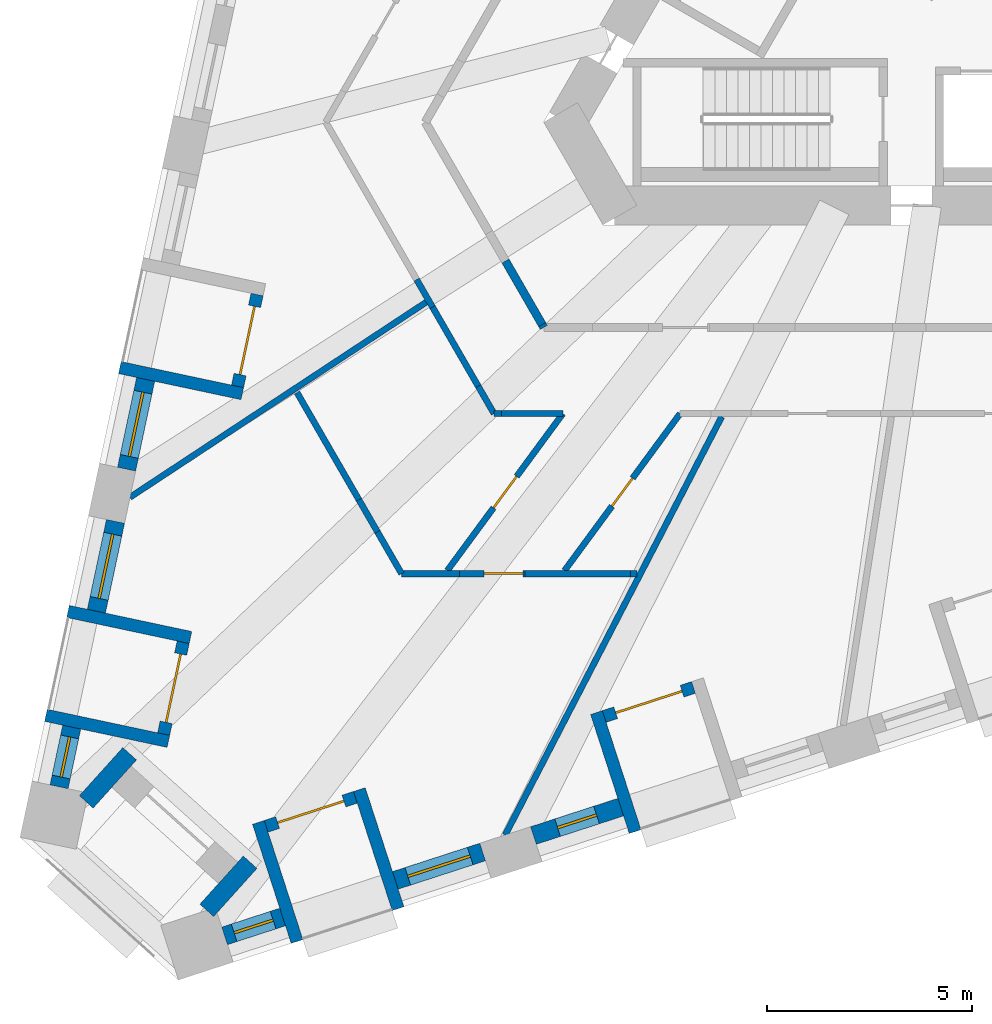
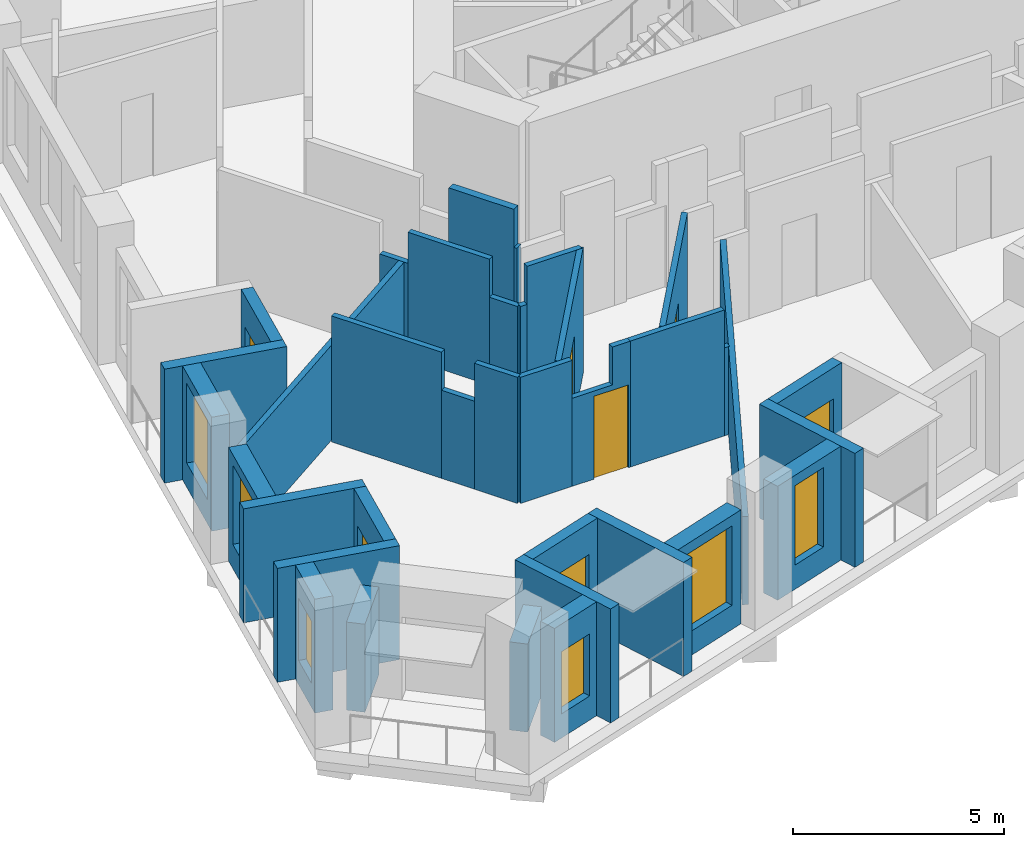
# One storey, part 2 of 12: 36 walls, 7 doors, 6 windows, 13 openings.
"""IFC4 building model written with IfcOpenShell, lengths in metres."""

from ifc_helpers import new_model, si_unit, direction, frame, frame_2d, origin, place, context, subcontext, project, spatial, polyline, rectangle, outline, extrude, material, layer, layer_set, type_object, element, fill, save


model = new_model("IFC4")

# Units and contexts
model_context = context("Model", 3, precision=1e-05, world=origin(), true_north=direction((0.0, 1.0)))
body_context = subcontext(model_context, "Body", "Model", "MODEL_VIEW")
ifc_project = project(units=[si_unit("LENGTHUNIT", "METRE"), si_unit("AREAUNIT", "SQUARE_METRE"), si_unit("VOLUMEUNIT", "CUBIC_METRE"), si_unit("PLANEANGLEUNIT", "RADIAN"), si_unit("MASSUNIT", "GRAM", prefix="KILO")], contexts=[model_context])

# Site, building, storey
site_placement = place(None, origin())
site = spatial("IfcSite", under=ifc_project, at=site_placement, CompositionType="ELEMENT")
building_placement = place(site_placement, origin())
building = spatial("IfcBuilding", under=site, at=building_placement, Name="Tramontana Tower", CompositionType="ELEMENT")
storey_placement = place(building_placement, frame((0.0, 0.0, 96.39990234375)))
storey = spatial("IfcBuildingStorey", under=building, at=storey_placement, Name="L21", CompositionType="ELEMENT", Elevation=96.39990234375)

# Walls
ifc_material_1 = material(Name="Blockwork", Category="masonry")
ifc_layer_1 = layer(ifc_material_1, 0.199951171875)
ifc_layer_set_1 = layer_set([ifc_layer_1], Name="ENTRY WALL 200")
wall_type_1 = type_object("IfcWallType", Name="ENTRY WALL 200", PredefinedType="SOLIDWALL", material=ifc_layer_set_1)
wall_1_placement = place(storey_placement, frame((-10.248046875, -9.25, 0.0), z_axis=(0.0, 0.0, 1.0), x_axis=(-0.499103811596, 0.866542200502, 0.0)))
element("IfcWall", 1, at=wall_1_placement, inside=storey, type_object=wall_type_1, Name="Wall v20-ew3-0", PredefinedType="SOLIDWALL", context=body_context, shape_type="SweptSolid", body=[
    extrude(rectangle(XDim=0.079833984375, YDim=0.199951171875, at=frame_2d((0.0400390625, 0.0))), origin(), (0.0, 0.0, 1.0), 2.550048828125),
])
wall_2_placement = place(storey_placement, frame((-10.287841796875, -9.180908203125, 0.0), z_axis=(0.0, 0.0, 1.0), x_axis=(-0.499986405537, 0.866033252409, 0.0)))
element("IfcWall", 2, at=wall_2_placement, inside=storey, type_object=wall_type_1, Name="Wall v20-ew3-1", PredefinedType="SOLIDWALL", context=body_context, shape_type="SweptSolid", body=[
    extrude(rectangle(XDim=1.7880859375, YDim=0.199951171875, at=frame_2d((0.89404296875, 0.0))), origin(), (0.0, 0.0, 1.0), 3.650146484375),
])

# Wall, opening, window
ifc_material_2 = material(Name="Precast concrete 60 MPa", Category="concrete")
ifc_layer_2 = layer(ifc_material_2, 0.449951171875)
ifc_layer_set_2 = layer_set([ifc_layer_2], Name="Precast concrete 60 MPa, 450 mm")
wall_type_2 = type_object("IfcWallType", Name="EW1 Stone-faced precast wall 450", PredefinedType="SOLIDWALL", material=ifc_layer_set_2)
wall_3_placement = place(storey_placement, frame((-19.947265625, -10.516357421875, 0.0), z_axis=(0.0, 0.0, 1.0), x_axis=(-0.207941001029, -0.978141370197, 0.0)))
wall_3 = element("IfcWall", 3, at=wall_3_placement, inside=storey, type_object=wall_type_2, Name="External wall L21 face 0 bay 5", PredefinedType="SOLIDWALL", context=body_context, shape_type="SweptSolid", body=[
    extrude(rectangle(XDim=2.236572265625, YDim=0.449951171875, at=frame_2d((1.1181640625, 0.0))), origin(), (0.0, 0.0, 1.0), 3.300048828125),
])
opening_1_placement = place(wall_3_placement, frame((0.318359375, 0.0, 0.699951171875)))
opening_1 = element("IfcOpeningElement", 4, at=opening_1_placement, cuts=wall_3, Name="Opening M1", PredefinedType="OPENING", context=body_context, shape_type="SweptSolid", body=[
    extrude(rectangle(XDim=1.60009765625, YDim=2.300048828125, at=frame_2d((0.800048828125, 1.14990234375))), frame((0.0, 0.23486328125, 0.0), z_axis=(0.0, -1.0, 0.0), x_axis=(1.0, 0.0, 0.0)), (0.0, 0.0, 1.0), 0.469970703125),
])
ifc_material_3 = material(Name="Aluminum frame, double glazing unit", Category="aluminium")
window_type_1 = type_object("IfcWindowType", Name="M1 Window 1.6 x 2.3", PartitioningType="SINGLE_PANEL", PredefinedType="WINDOW", material=ifc_material_3)
window_1_placement = place(opening_1_placement, origin())
window_1 = element("IfcWindow", 5, at=window_1_placement, inside=storey, type_object=window_type_1, Name="Window M1 L21 face 0 module 15", OverallHeight=2.300048828125, OverallWidth=1.60009765625, PartitioningType="SINGLE_PANEL", PredefinedType="WINDOW", context=body_context, shape_type="SweptSolid", body=[
    extrude(rectangle(XDim=1.60009765625, YDim=2.300048828125, at=frame_2d((0.800048828125, 1.14990234375))), frame((0.0, 0.030029296875, 0.0), z_axis=(0.0, -1.0, 0.0), x_axis=(1.0, 0.0, 0.0)), (0.0, 0.0, 1.0), 0.06005859375),
])
fill(opening_1, window_1)

wall_4_placement = place(storey_placement, frame((-20.6826171875, -13.975830078125, 0.0), z_axis=(0.0, 0.0, 1.0), x_axis=(-0.207941001029, -0.978141370197, 0.0)))
wall_4 = element("IfcWall", 6, at=wall_4_placement, inside=storey, type_object=wall_type_2, Name="External wall L21 face 0 bay 6", PredefinedType="SOLIDWALL", context=body_context, shape_type="SweptSolid", body=[
    extrude(rectangle(XDim=2.236572265625, YDim=0.449951171875, at=frame_2d((1.1181640625, 0.0))), origin(), (0.0, 0.0, 1.0), 3.300048828125),
])
opening_2_placement = place(wall_4_placement, frame((0.318359375, 0.0, 0.699951171875)))
opening_2 = element("IfcOpeningElement", 7, at=opening_2_placement, cuts=wall_4, Name="Opening M1", PredefinedType="OPENING", context=body_context, shape_type="SweptSolid", body=[
    extrude(rectangle(XDim=1.60009765625, YDim=2.300048828125, at=frame_2d((0.800048828125, 1.14990234375))), frame((0.0, 0.23486328125, 0.0), z_axis=(0.0, -1.0, 0.0), x_axis=(1.0, 0.0, 0.0)), (0.0, 0.0, 1.0), 0.469970703125),
])
window_2_placement = place(opening_2_placement, origin())
window_2 = element("IfcWindow", 8, at=window_2_placement, inside=storey, type_object=window_type_1, Name="Window M1 L21 face 0 module 16", OverallHeight=2.300048828125, OverallWidth=1.60009765625, PartitioningType="SINGLE_PANEL", PredefinedType="WINDOW", context=body_context, shape_type="SweptSolid", body=[
    extrude(rectangle(XDim=1.60009765625, YDim=2.300048828125, at=frame_2d((0.800048828125, 1.14990234375))), frame((0.0, 0.030029296875, 0.0), z_axis=(0.0, -1.0, 0.0), x_axis=(1.0, 0.0, 0.0)), (0.0, 0.0, 1.0), 0.06005859375),
])
fill(opening_2, window_2)

wall_5_placement = place(storey_placement, frame((-21.747802734375, -18.9873046875, 0.0), z_axis=(0.0, 0.0, 1.0), x_axis=(-0.208037456693, -0.978120859921, 0.0)))
wall_5 = element("IfcWall", 9, at=wall_5_placement, inside=storey, type_object=wall_type_2, Name="External wall L21 face 0 bay 6", PredefinedType="SOLIDWALL", context=body_context, shape_type="SweptSolid", body=[
    extrude(rectangle(XDim=1.48681640625, YDim=0.449951171875, at=frame_2d((0.743408203125, 0.0))), origin(), (0.0, 0.0, 1.0), 3.300048828125),
])
opening_3_placement = place(wall_5_placement, frame((0.243408203125, 0.0, 0.699951171875)))
opening_3 = element("IfcOpeningElement", 10, at=opening_3_placement, cuts=wall_5, Name="Opening N1L", PredefinedType="OPENING", context=body_context, shape_type="SweptSolid", body=[
    extrude(rectangle(XDim=1.0, YDim=1.800048828125, at=frame_2d((0.5, 0.89990234375))), frame((0.0, 0.23486328125, 0.0), z_axis=(0.0, -1.0, 0.0), x_axis=(1.0, 0.0, 0.0)), (0.0, 0.0, 1.0), 0.469970703125),
])
ifc_material_4 = material(Name="Aluminum frame, double glazing unit", Category="aluminium")
window_type_2 = type_object("IfcWindowType", Name="N1L Window 1 x 1.8", PartitioningType="SINGLE_PANEL", PredefinedType="WINDOW", material=ifc_material_4)
window_3_placement = place(opening_3_placement, origin())
window_3 = element("IfcWindow", 11, at=window_3_placement, inside=storey, type_object=window_type_2, Name="Window N1L L21 face 0 module 18", OverallHeight=1.800048828125, OverallWidth=1.0, PartitioningType="SINGLE_PANEL", PredefinedType="WINDOW", context=body_context, shape_type="SweptSolid", body=[
    extrude(rectangle(XDim=1.0, YDim=1.800048828125, at=frame_2d((0.5, 0.89990234375))), frame((0.0, 0.030029296875, 0.0), z_axis=(0.0, -1.0, 0.0), x_axis=(1.0, 0.0, 0.0)), (0.0, 0.0, 1.0), 0.06005859375),
])
fill(opening_3, window_3)

wall_6_placement = place(storey_placement, frame((-18.02392578125, -24.072998046875, 0.0), z_axis=(0.0, 0.0, 1.0), x_axis=(0.951037689269, 0.309074931999, 0.0)))
wall_6 = element("IfcWall", 12, at=wall_6_placement, inside=storey, type_object=wall_type_2, Name="External wall L21 face 1 bay 1", PredefinedType="SOLIDWALL", context=body_context, shape_type="SweptSolid", body=[
    extrude(rectangle(XDim=1.486572265625, YDim=0.449951171875, at=frame_2d((0.7431640625, 0.0))), origin(), (0.0, 0.0, 1.0), 3.300048828125),
])
opening_4_placement = place(wall_6_placement, frame((0.243408203125, 0.0, 0.699951171875)))
opening_4 = element("IfcOpeningElement", 13, at=opening_4_placement, cuts=wall_6, Name="Opening N1L", PredefinedType="OPENING", context=body_context, shape_type="SweptSolid", body=[
    extrude(rectangle(XDim=1.0, YDim=1.800048828125, at=frame_2d((0.5, 0.89990234375))), frame((0.0, 0.23486328125, 0.0), z_axis=(0.0, -1.0, 0.0), x_axis=(1.0, 0.0, 0.0)), (0.0, 0.0, 1.0), 0.469970703125),
])
window_4_placement = place(opening_4_placement, origin())
window_4 = element("IfcWindow", 14, at=window_4_placement, inside=storey, type_object=window_type_2, Name="Window N1L L21 face 1 module 1", OverallHeight=1.800048828125, OverallWidth=1.0, PartitioningType="SINGLE_PANEL", PredefinedType="WINDOW", context=body_context, shape_type="SweptSolid", body=[
    extrude(rectangle(XDim=1.0, YDim=1.800048828125, at=frame_2d((0.5, 0.89990234375))), frame((0.0, 0.030029296875, 0.0), z_axis=(0.0, -1.0, 0.0), x_axis=(1.0, 0.0, 0.0)), (0.0, 0.0, 1.0), 0.06005859375),
])
fill(opening_4, window_4)

wall_7_placement = place(storey_placement, frame((-13.864501953125, -22.721435546875, 0.0), z_axis=(0.0, 0.0, 1.0), x_axis=(0.951057328329, 0.30901449518, 0.0)))
wall_7 = element("IfcWall", 15, at=wall_7_placement, inside=storey, type_object=wall_type_2, Name="External wall L21 face 1 bay 1", PredefinedType="SOLIDWALL", context=body_context, shape_type="SweptSolid", body=[
    extrude(rectangle(XDim=2.236572265625, YDim=0.449951171875, at=frame_2d((1.1181640625, 0.0))), origin(), (0.0, 0.0, 1.0), 3.300048828125),
])
opening_5_placement = place(wall_7_placement, frame((0.318359375, 0.0, 0.699951171875)))
opening_5 = element("IfcOpeningElement", 16, at=opening_5_placement, cuts=wall_7, Name="Opening M1", PredefinedType="OPENING", context=body_context, shape_type="SweptSolid", body=[
    extrude(rectangle(XDim=1.60009765625, YDim=2.300048828125, at=frame_2d((0.800048828125, 1.14990234375))), frame((0.0, 0.23486328125, 0.0), z_axis=(0.0, -1.0, 0.0), x_axis=(1.0, 0.0, 0.0)), (0.0, 0.0, 1.0), 0.469970703125),
])
window_5_placement = place(opening_5_placement, origin())
window_5 = element("IfcWindow", 17, at=window_5_placement, inside=storey, type_object=window_type_1, Name="Window M1 L21 face 1 module 3", OverallHeight=2.300048828125, OverallWidth=1.60009765625, PartitioningType="SINGLE_PANEL", PredefinedType="WINDOW", context=body_context, shape_type="SweptSolid", body=[
    extrude(rectangle(XDim=1.60009765625, YDim=2.300048828125, at=frame_2d((0.800048828125, 1.14990234375))), frame((0.0, 0.030029296875, 0.0), z_axis=(0.0, -1.0, 0.0), x_axis=(1.0, 0.0, 0.0)), (0.0, 0.0, 1.0), 0.06005859375),
])
fill(opening_5, window_5)

wall_8_placement = place(storey_placement, frame((-10.5009765625, -21.62841796875, 0.0), z_axis=(0.0, 0.0, 1.0), x_axis=(0.951067749801, 0.30898241906, 0.0)))
wall_8 = element("IfcWall", 18, at=wall_8_placement, inside=storey, type_object=wall_type_2, Name="External wall L21 face 1 bay 2", PredefinedType="SOLIDWALL", context=body_context, shape_type="SweptSolid", body=[
    extrude(rectangle(XDim=2.23681640625, YDim=0.449951171875, at=frame_2d((1.118408203125, 0.0))), origin(), (0.0, 0.0, 1.0), 3.300048828125),
])
opening_6_placement = place(wall_8_placement, frame((0.618408203125, 0.0, 0.699951171875)))
opening_6 = element("IfcOpeningElement", 19, at=opening_6_placement, cuts=wall_8, Name="Opening N1", PredefinedType="OPENING", context=body_context, shape_type="SweptSolid", body=[
    extrude(rectangle(XDim=1.0, YDim=2.300048828125, at=frame_2d((0.5, 1.14990234375))), frame((0.0, 0.23486328125, 0.0), z_axis=(0.0, -1.0, 0.0), x_axis=(1.0, 0.0, 0.0)), (0.0, 0.0, 1.0), 0.469970703125),
])
ifc_material_5 = material(Name="Aluminum frame, double glazing unit", Category="aluminium")
window_type_3 = type_object("IfcWindowType", Name="N1 Window 1 x 2.3", PartitioningType="SINGLE_PANEL", PredefinedType="WINDOW", material=ifc_material_5)
window_6_placement = place(opening_6_placement, origin())
window_6 = element("IfcWindow", 20, at=window_6_placement, inside=storey, type_object=window_type_3, Name="Window N1 L21 face 1 module 4", OverallHeight=2.300048828125, OverallWidth=1.0, PartitioningType="SINGLE_PANEL", PredefinedType="WINDOW", context=body_context, shape_type="SweptSolid", body=[
    extrude(rectangle(XDim=1.0, YDim=2.300048828125, at=frame_2d((0.5, 1.14990234375))), frame((0.0, 0.030029296875, 0.0), z_axis=(0.0, -1.0, 0.0), x_axis=(1.0, 0.0, 0.0)), (0.0, 0.0, 1.0), 0.06005859375),
])
fill(opening_6, window_6)

# Walls
for number, where, z_axis, x_axis, name in (
    (21, (-18.45849609375, -23.451904296875, 0.0), (0.0, 0.0, 1.0), (0.669109923521, 0.743163447867, 0.0), "Corner loggia side wall L21 K21l"),
    (22, (-21.393798828125, -20.808837890625, 0.0), (0.0, 0.0, 1.0), (0.669109923521, 0.743163447867, 0.0), "Corner loggia side wall L21 K21r"),
):
    element("IfcWall", number, at=place(storey_placement, frame(where, z_axis=z_axis, x_axis=x_axis)), inside=storey, type_object=wall_type_2, Name=name, PredefinedType="SOLIDWALL", context=body_context, shape_type="SweptSolid", body=[
        extrude(rectangle(XDim=1.5791015625, YDim=0.449951171875, at=frame_2d((0.78955078125, 0.0))), origin(), (0.0, 0.0, 1.0), 2.550048828125),
    ])

# Wall, opening, door
ifc_material_6 = material(Name="Precast concrete 60 MPa", Category="concrete")
ifc_layer_3 = layer(ifc_material_6, 0.300048828125)
ifc_layer_set_3 = layer_set([ifc_layer_3], Name="LW1 Stone-faced loggia wall 300")
wall_type_3 = type_object("IfcWallType", Name="LW1 Stone-faced loggia wall 300", PredefinedType="SOLIDWALL", material=ifc_layer_set_3)
wall_9_placement = place(storey_placement, frame((-17.233154296875, -8.44873046875, 0.0), z_axis=(0.0, 0.0, 1.0), x_axis=(-0.207866417042, -0.978157222877, 0.0)))
wall_9 = element("IfcWall", 23, at=wall_9_placement, inside=storey, type_object=wall_type_3, Name="Loggia wall L21 G2S0.13", PredefinedType="SOLIDWALL", context=body_context, shape_type="SweptSolid", body=[
    extrude(rectangle(XDim=2.286865234375, YDim=0.300048828125, at=frame_2d((1.1435546875, 0.0))), origin(), (0.0, 0.0, 1.0), 3.300048828125),
])
opening_7_placement = place(wall_9_placement, frame((0.29345703125, 0.0, 0.0)))
opening_7 = element("IfcOpeningElement", 24, at=opening_7_placement, cuts=wall_9, Name="Opening BD-2S0-13", PredefinedType="OPENING", context=body_context, shape_type="SweptSolid", body=[
    extrude(rectangle(XDim=1.699951171875, YDim=2.39990234375, at=frame_2d((0.85009765625, 1.199951171875))), frame((0.0, 0.159912109375, 0.0), z_axis=(0.0, -1.0, 0.0), x_axis=(1.0, 0.0, 0.0)), (0.0, 0.0, 1.0), 0.320068359375),
])
ifc_material_7 = material(Name="Aluminum frame, double glazing unit", Category="aluminium")
door_type_1 = type_object("IfcDoorType", Name="BD1 Sliding door 1.7 x 2.4", OperationType="SLIDING_TO_LEFT", PredefinedType="DOOR", material=ifc_material_7)
door_1_placement = place(opening_7_placement, origin())
door_1 = element("IfcDoor", 25, at=door_1_placement, inside=storey, type_object=door_type_1, Name="Loggia door L21 G2S0.13", OperationType="SLIDING_TO_LEFT", OverallHeight=2.39990234375, OverallWidth=1.699951171875, PredefinedType="DOOR", context=body_context, shape_type="SweptSolid", body=[
    extrude(rectangle(XDim=1.699951171875, YDim=2.39990234375, at=frame_2d((0.85009765625, 1.199951171875))), frame((0.0, 0.02490234375, 0.0), z_axis=(0.0, -1.0, 0.0), x_axis=(1.0, 0.0, 0.0)), (0.0, 0.0, 1.0), 0.050048828125),
])
fill(opening_7, door_1)

# Wall
wall_10_placement = place(storey_placement, frame((-20.576416015625, -10.229248046875, 0.0), z_axis=(0.0, 0.0, 1.0), x_axis=(0.978154782045, -0.207877902534, 0.0)))
element("IfcWall", 26, at=wall_10_placement, inside=storey, type_object=wall_type_3, Name="Loggia return L21 G2S0.13b", PredefinedType="SOLIDWALL", context=body_context, shape_type="SweptSolid", body=[
    extrude(rectangle(XDim=3.050048828125, YDim=0.300048828125, at=frame_2d((1.52490234375, 0.0))), origin(), (0.0, 0.0, 1.0), 3.300048828125),
])

# Wall, opening, door
wall_11_placement = place(storey_placement, frame((-19.03369140625, -16.919677734375, 0.0), z_axis=(0.0, 0.0, 1.0), x_axis=(-0.207968563016, -0.978135510447, 0.0)))
wall_11 = element("IfcWall", 27, at=wall_11_placement, inside=storey, type_object=wall_type_3, Name="Loggia wall L21 G2S0.16", PredefinedType="SOLIDWALL", context=body_context, shape_type="SweptSolid", body=[
    extrude(rectangle(XDim=2.286865234375, YDim=0.300048828125, at=frame_2d((1.1435546875, 0.0))), origin(), (0.0, 0.0, 1.0), 3.300048828125),
])
opening_8_placement = place(wall_11_placement, frame((0.29345703125, 0.0, 0.0)))
opening_8 = element("IfcOpeningElement", 28, at=opening_8_placement, cuts=wall_11, Name="Opening BD-2S0-16", PredefinedType="OPENING", context=body_context, shape_type="SweptSolid", body=[
    extrude(rectangle(XDim=1.699951171875, YDim=2.39990234375, at=frame_2d((0.85009765625, 1.199951171875))), frame((0.0, 0.159912109375, 0.0), z_axis=(0.0, -1.0, 0.0), x_axis=(1.0, 0.0, 0.0)), (0.0, 0.0, 1.0), 0.320068359375),
])
door_2_placement = place(opening_8_placement, origin())
door_2 = element("IfcDoor", 29, at=door_2_placement, inside=storey, type_object=door_type_1, Name="Loggia door L21 G2S0.16", OperationType="SLIDING_TO_LEFT", OverallHeight=2.39990234375, OverallWidth=1.699951171875, PredefinedType="DOOR", context=body_context, shape_type="SweptSolid", body=[
    extrude(rectangle(XDim=1.699951171875, YDim=2.39990234375, at=frame_2d((0.85009765625, 1.199951171875))), frame((0.0, 0.02490234375, 0.0), z_axis=(0.0, -1.0, 0.0), x_axis=(1.0, 0.0, 0.0)), (0.0, 0.0, 1.0), 0.050048828125),
])
fill(opening_8, door_2)

# Walls
for number, where, z_axis, x_axis, name in (
    (30, (-21.839111328125, -16.169921875, 0.0), (0.0, 0.0, 1.0), (0.978138503145, -0.207954487003, 0.0), "Loggia return L21 G2S0.16a"),
    (31, (-22.376953125, -18.7001953125, 0.0), (0.0, 0.0, 1.0), (0.978154782045, -0.207877902534, 0.0), "Loggia return L21 G2S0.16b"),
):
    element("IfcWall", number, at=place(storey_placement, frame(where, z_axis=z_axis, x_axis=x_axis)), inside=storey, type_object=wall_type_3, Name=name, PredefinedType="SOLIDWALL", context=body_context, shape_type="SweptSolid", body=[
        extrude(rectangle(XDim=3.050048828125, YDim=0.300048828125, at=frame_2d((1.52490234375, 0.0))), origin(), (0.0, 0.0, 1.0), 3.300048828125),
    ])

# Wall, opening, door
wall_12_placement = place(storey_placement, frame((-17.01220703125, -21.40478515625, 0.0), z_axis=(0.0, 0.0, 1.0), x_axis=(0.95103720697, 0.309076416051, 0.0)))
wall_12 = element("IfcWall", 32, at=wall_12_placement, inside=storey, type_object=wall_type_3, Name="Loggia wall L21 G2S1.1", PredefinedType="SOLIDWALL", context=body_context, shape_type="SweptSolid", body=[
    extrude(rectangle(XDim=2.286865234375, YDim=0.300048828125, at=frame_2d((1.1435546875, 0.0))), origin(), (0.0, 0.0, 1.0), 3.300048828125),
])
opening_9_placement = place(wall_12_placement, frame((0.29345703125, 0.0, 0.0)))
opening_9 = element("IfcOpeningElement", 33, at=opening_9_placement, cuts=wall_12, Name="Opening BD-2S1-01", PredefinedType="OPENING", context=body_context, shape_type="SweptSolid", body=[
    extrude(rectangle(XDim=1.699951171875, YDim=2.39990234375, at=frame_2d((0.85009765625, 1.199951171875))), frame((0.0, 0.159912109375, 0.0), z_axis=(0.0, -1.0, 0.0), x_axis=(1.0, 0.0, 0.0)), (0.0, 0.0, 1.0), 0.320068359375),
])
door_3_placement = place(opening_9_placement, origin())
door_3 = element("IfcDoor", 34, at=door_3_placement, inside=storey, type_object=door_type_1, Name="Loggia door L21 G2S1.1", OperationType="SLIDING_TO_LEFT", OverallHeight=2.39990234375, OverallWidth=1.699951171875, PredefinedType="DOOR", context=body_context, shape_type="SweptSolid", body=[
    extrude(rectangle(XDim=1.699951171875, YDim=2.39990234375, at=frame_2d((0.85009765625, 1.199951171875))), frame((0.0, 0.02490234375, 0.0), z_axis=(0.0, -1.0, 0.0), x_axis=(1.0, 0.0, 0.0)), (0.0, 0.0, 1.0), 0.050048828125),
])
fill(opening_9, door_3)

# Walls
for number, where, z_axis, x_axis, name in (
    (35, (-16.2587890625, -24.209228515625, 0.0), (0.0, 0.0, 1.0), (-0.308966615996, 0.951072883748, 0.0), "Loggia return L21 G2S1.1a"),
    (36, (-13.798583984375, -23.40966796875, 0.0), (0.0, 0.0, 1.0), (-0.309062542235, 0.951041715693, 0.0), "Loggia return L21 G2S1.1b"),
):
    element("IfcWall", number, at=place(storey_placement, frame(where, z_axis=z_axis, x_axis=x_axis)), inside=storey, type_object=wall_type_3, Name=name, PredefinedType="SOLIDWALL", context=body_context, shape_type="SweptSolid", body=[
        extrude(rectangle(XDim=3.050048828125, YDim=0.300048828125, at=frame_2d((1.52490234375, 0.0))), origin(), (0.0, 0.0, 1.0), 3.300048828125),
    ])

# Wall, opening, door
wall_13_placement = place(storey_placement, frame((-8.77587890625, -18.728515625, 0.0), z_axis=(0.0, 0.0, 1.0), x_axis=(0.951068585107, 0.308979847923, 0.0)))
wall_13 = element("IfcWall", 37, at=wall_13_placement, inside=storey, type_object=wall_type_3, Name="Loggia wall L21 G2S1.4", PredefinedType="SOLIDWALL", context=body_context, shape_type="SweptSolid", body=[
    extrude(rectangle(XDim=2.28662109375, YDim=0.300048828125, at=frame_2d((1.143310546875, 0.0))), origin(), (0.0, 0.0, 1.0), 3.300048828125),
])
opening_10_placement = place(wall_13_placement, frame((0.29345703125, 0.0, 0.0)))
opening_10 = element("IfcOpeningElement", 38, at=opening_10_placement, cuts=wall_13, Name="Opening BD-2S1-04", PredefinedType="OPENING", context=body_context, shape_type="SweptSolid", body=[
    extrude(rectangle(XDim=1.699951171875, YDim=2.39990234375, at=frame_2d((0.85009765625, 1.199951171875))), frame((0.0, 0.159912109375, 0.0), z_axis=(0.0, -1.0, 0.0), x_axis=(1.0, 0.0, 0.0)), (0.0, 0.0, 1.0), 0.320068359375),
])
door_4_placement = place(opening_10_placement, origin())
door_4 = element("IfcDoor", 39, at=door_4_placement, inside=storey, type_object=door_type_1, Name="Loggia door L21 G2S1.4", OperationType="SLIDING_TO_LEFT", OverallHeight=2.39990234375, OverallWidth=1.699951171875, PredefinedType="DOOR", context=body_context, shape_type="SweptSolid", body=[
    extrude(rectangle(XDim=1.699951171875, YDim=2.39990234375, at=frame_2d((0.85009765625, 1.199951171875))), frame((0.0, 0.02490234375, 0.0), z_axis=(0.0, -1.0, 0.0), x_axis=(1.0, 0.0, 0.0)), (0.0, 0.0, 1.0), 0.050048828125),
])
fill(opening_10, door_4)

# Walls
wall_14_placement = place(storey_placement, frame((-8.0224609375, -21.532958984375, 0.0), z_axis=(0.0, 0.0, 1.0), x_axis=(-0.308990138358, 0.951065241925, 0.0)))
element("IfcWall", 40, at=wall_14_placement, inside=storey, type_object=wall_type_3, Name="Loggia return L21 G2S1.4a", PredefinedType="SOLIDWALL", context=body_context, shape_type="SweptSolid", body=[
    extrude(rectangle(XDim=3.0498046875, YDim=0.300048828125, at=frame_2d((1.52490234375, 0.0))), origin(), (0.0, 0.0, 1.0), 3.300048828125),
])
ifc_material_8 = material(Name="Gypsum board partition")
ifc_layer_4 = layer(ifc_material_8, 0.14990234375)
ifc_layer_set_4 = layer_set([ifc_layer_4], Name="PARTITION 150")
wall_type_4 = type_object("IfcWallType", Name="PARTITION 150", PredefinedType="PARTITIONING", material=ifc_layer_set_4)
wall_15_placement = place(storey_placement, frame((-20.327392578125, -13.38671875, 0.0), z_axis=(0.0, 0.0, 1.0), x_axis=(0.835168014777, 0.549994897334, 0.0)))
element("IfcWall", 41, at=wall_15_placement, inside=storey, type_object=wall_type_4, Name="Wall v20-pw00-0", PredefinedType="PARTITIONING", context=body_context, shape_type="SweptSolid", body=[
    extrude(rectangle(XDim=8.637451171875, YDim=0.14990234375, at=frame_2d((4.31884765625, 0.0))), origin(), (0.0, 0.0, 1.0), 2.75),
])
wall_16_placement = place(storey_placement, frame((-13.712158203125, -15.25, 0.0), z_axis=(0.0, 0.0, 1.0), x_axis=(-0.499907924584, 0.866078557025, 0.0)))
element("IfcWall", 42, at=wall_16_placement, inside=storey, type_object=wall_type_4, Name="Wall v20-pw03-0", PredefinedType="PARTITIONING", context=body_context, shape_type="SweptSolid", body=[
    extrude(rectangle(XDim=1.177490234375, YDim=0.14990234375, at=frame_2d((0.5888671875, 0.0))), origin(), (0.0, 0.0, 1.0), 3.650146484375),
])
wall_17_placement = place(storey_placement, frame((-14.30078125, -14.230224609375, 0.0), z_axis=(0.0, 0.0, 1.0), x_axis=(-0.499988457423, 0.866032067792, 0.0)))
element("IfcWall", 43, at=wall_17_placement, inside=storey, type_object=wall_type_4, Name="Wall v20-pw03-1", PredefinedType="PARTITIONING", context=body_context, shape_type="SweptSolid", body=[
    extrude(rectangle(XDim=0.900390625, YDim=0.14990234375, at=frame_2d((0.4501953125, 0.0))), origin(), (0.0, 0.0, 1.0), 2.550048828125),
])
wall_18_placement = place(storey_placement, frame((-14.7509765625, -13.450439453125, 0.0), z_axis=(0.0, 0.0, 1.0), x_axis=(-0.499979445284, 0.86603727073, 0.0)))
element("IfcWall", 44, at=wall_18_placement, inside=storey, type_object=wall_type_4, Name="Wall v20-pw03-2", PredefinedType="PARTITIONING", context=body_context, shape_type="SweptSolid", body=[
    extrude(rectangle(XDim=3.015380859375, YDim=0.14990234375, at=frame_2d((1.5078125, 0.0))), origin(), (0.0, 0.0, 1.0), 3.650146484375),
])

# Wall, opening, door
wall_19_placement = place(storey_placement, frame((-12.599365234375, -15.175048828125, 0.0), z_axis=(0.0, 0.0, 1.0), x_axis=(0.592829004129, 0.805328362758, 0.0)))
wall_19 = element("IfcWall", 45, at=wall_19_placement, inside=storey, type_object=wall_type_4, Name="Wall v20-pw05", PredefinedType="PARTITIONING", context=body_context, shape_type="SweptSolid", body=[
    extrude(rectangle(XDim=4.74951171875, YDim=0.14990234375, at=frame_2d((2.374755859375, 0.0))), origin(), (0.0, 0.0, 1.0), 3.650146484375),
])
opening_11_placement = place(wall_19_placement, frame((1.89990234375, 0.0, 0.0)))
opening_11 = element("IfcOpeningElement", 46, at=opening_11_placement, cuts=wall_19, Name="Opening B2A-08", PredefinedType="OPENING", context=body_context, shape_type="SweptSolid", body=[
    extrude(rectangle(XDim=0.949951171875, YDim=2.39990234375, at=frame_2d((0.47509765625, 1.199951171875))), frame((0.0, 0.0849609375, 0.0), z_axis=(0.0, -1.0, 0.0), x_axis=(1.0, 0.0, 0.0)), (0.0, 0.0, 1.0), 0.169921875),
])
ifc_material_9 = material(Name="Painted timber", Category="wood")
door_type_2 = type_object("IfcDoorType", Name="DOOR ROOM 950", OperationType="SINGLE_SWING_LEFT", PredefinedType="DOOR", material=ifc_material_9)
door_5_placement = place(opening_11_placement, origin())
door_5 = element("IfcDoor", 47, at=door_5_placement, inside=storey, type_object=door_type_2, Name="Door B2A-08", OperationType="SINGLE_SWING_RIGHT", OverallHeight=2.39990234375, OverallWidth=0.949951171875, PredefinedType="DOOR", context=body_context, shape_type="SweptSolid", body=[
    extrude(rectangle(XDim=0.949951171875, YDim=2.39990234375, at=frame_2d((0.47509765625, 1.199951171875))), frame((0.0, 0.02490234375, 0.0), z_axis=(0.0, -1.0, 0.0), x_axis=(1.0, 0.0, 0.0)), (0.0, 0.0, 1.0), 0.050048828125),
])
fill(opening_11, door_5)

# Walls
wall_20_placement = place(storey_placement, frame((-11.46044921875, -11.35009765625, 0.0), z_axis=(0.0, 0.0, 1.0), x_axis=(-0.49974986996, 0.866169768276, 0.0)))
element("IfcWall", 48, at=wall_20_placement, inside=storey, type_object=wall_type_4, Name="Wall v20-pw06-0", PredefinedType="PARTITIONING", context=body_context, shape_type="SweptSolid", body=[
    extrude(rectangle(XDim=0.77099609375, YDim=0.14990234375, at=frame_2d((0.385498046875, 0.0))), origin(), (0.0, 0.0, 1.0), 2.550048828125),
])
wall_21_placement = place(storey_placement, frame((-11.845703125, -10.682373046875, 0.0), z_axis=(0.0, 0.0, 1.0), x_axis=(-0.500067425712, 0.865986472032, 0.0)))
element("IfcWall", 49, at=wall_21_placement, inside=storey, type_object=wall_type_4, Name="Wall v20-pw06-1", PredefinedType="PARTITIONING", context=body_context, shape_type="SweptSolid", body=[
    extrude(rectangle(XDim=2.225830078125, YDim=0.14990234375, at=frame_2d((1.11279296875, 0.0))), origin(), (0.0, 0.0, 1.0), 3.650146484375),
])
wall_22_placement = place(storey_placement, frame((-12.958740234375, -8.7548828125, 0.0), z_axis=(0.0, 0.0, 1.0), x_axis=(-0.500031167255, 0.866007408613, 0.0)))
element("IfcWall", 50, at=wall_22_placement, inside=storey, type_object=wall_type_4, Name="Wall v20-pw06-2", PredefinedType="PARTITIONING", context=body_context, shape_type="SweptSolid", body=[
    extrude(rectangle(XDim=0.77587890625, YDim=0.14990234375, at=frame_2d((0.387939453125, 0.0))), origin(), (0.0, 0.0, 1.0), 2.75),
])
wall_23_placement = place(storey_placement, frame((-9.78369140625, -11.35009765625, 0.0), z_axis=(0.0, 0.0, 1.0), x_axis=(-1.0, 0.0, 0.0)))
element("IfcWall", 51, at=wall_23_placement, inside=storey, type_object=wall_type_4, Name="Wall v20-pw07-0", PredefinedType="PARTITIONING", context=body_context, shape_type="SweptSolid", body=[
    extrude(rectangle(XDim=1.494384765625, YDim=0.14990234375, at=frame_2d((0.7470703125, 0.0))), origin(), (0.0, 0.0, 1.0), 3.650146484375),
])
wall_24_placement = place(storey_placement, frame((-11.278076171875, -11.35009765625, 0.0), z_axis=(0.0, 0.0, 1.0), x_axis=(-1.0, 0.0, 0.0)))
element("IfcWall", 52, at=wall_24_placement, inside=storey, type_object=wall_type_4, Name="Wall v20-pw07-1", PredefinedType="PARTITIONING", context=body_context, shape_type="SweptSolid", body=[
    extrude(rectangle(XDim=0.182373046875, YDim=0.14990234375, at=frame_2d((0.09130859375, 0.0))), origin(), (0.0, 0.0, 1.0), 2.550048828125),
])
wall_25_placement = place(storey_placement, frame((-7.978271484375, -15.25, 0.0), z_axis=(0.0, 0.0, 1.0), x_axis=(-1.0, 0.0, 0.0)))
element("IfcWall", 53, at=wall_25_placement, inside=storey, type_object=wall_type_4, Name="Wall v20-pw11-0", PredefinedType="PARTITIONING", context=body_context, shape_type="SweptSolid", body=[
    extrude(rectangle(XDim=0.1552734375, YDim=0.14990234375, at=frame_2d((0.07763671875, 0.0))), origin(), (0.0, 0.0, 1.0), 2.550048828125),
])
wall_26_placement = place(storey_placement, frame((-8.133544921875, -15.25, 0.0), z_axis=(0.0, 0.0, 1.0), x_axis=(-1.0, 0.0, 0.0)))
element("IfcWall", 54, at=wall_26_placement, inside=storey, type_object=wall_type_4, Name="Wall v20-pw11-1", PredefinedType="PARTITIONING", context=body_context, shape_type="SweptSolid", body=[
    extrude(rectangle(XDim=2.568115234375, YDim=0.14990234375, at=frame_2d((1.2841796875, 0.0))), origin(), (0.0, 0.0, 1.0), 3.650146484375),
])

# Wall, opening, door
wall_27_placement = place(storey_placement, frame((-10.70166015625, -15.25, 0.0), z_axis=(0.0, 0.0, 1.0), x_axis=(-1.0, 0.0, 0.0)))
wall_27 = element("IfcWall", 55, at=wall_27_placement, inside=storey, type_object=wall_type_4, Name="Wall v20-pw11-2", PredefinedType="PARTITIONING", context=body_context, shape_type="SweptSolid", body=[
    extrude(outline(polyline([(0.0, 0.0), (1.601318359375, 0.0), (1.601318359375, 2.550048828125), (0.496826171875, 2.550048828125), (0.496826171875, 3.650146484375), (0.0, 3.650146484375), (0.0, 0.0)])), frame((0.0, 0.074951171875, 0.0), z_axis=(0.0, -1.0, 0.0), x_axis=(1.0, 0.0, 0.0)), (0.0, 0.0, 1.0), 0.14990234375),
])
opening_12_placement = place(wall_27_placement, frame((0.050048828125, 0.0, 0.0)))
opening_12 = element("IfcOpeningElement", 56, at=opening_12_placement, cuts=wall_27, Name="Opening B2A-10", PredefinedType="OPENING", context=body_context, shape_type="SweptSolid", body=[
    extrude(rectangle(XDim=0.949951171875, YDim=2.39990234375, at=frame_2d((0.47509765625, 1.199951171875))), frame((0.0, 0.0849609375, 0.0), z_axis=(0.0, -1.0, 0.0), x_axis=(1.0, 0.0, 0.0)), (0.0, 0.0, 1.0), 0.169921875),
])
door_6_placement = place(opening_12_placement, origin())
door_6 = element("IfcDoor", 57, at=door_6_placement, inside=storey, type_object=door_type_2, Name="Door B2A-10", OperationType="SINGLE_SWING_RIGHT", OverallHeight=2.39990234375, OverallWidth=0.949951171875, PredefinedType="DOOR", context=body_context, shape_type="SweptSolid", body=[
    extrude(rectangle(XDim=0.949951171875, YDim=2.39990234375, at=frame_2d((0.47509765625, 1.199951171875))), frame((0.0, 0.02490234375, 0.0), z_axis=(0.0, -1.0, 0.0), x_axis=(1.0, 0.0, 0.0)), (0.0, 0.0, 1.0), 0.050048828125),
])
fill(opening_12, door_6)

# Wall
wall_28_placement = place(storey_placement, frame((-12.302978515625, -15.25, 0.0), z_axis=(0.0, 0.0, 1.0), x_axis=(-1.0, 0.0, 0.0)))
element("IfcWall", 58, at=wall_28_placement, inside=storey, type_object=wall_type_4, Name="Wall v20-pw11-3", PredefinedType="PARTITIONING", context=body_context, shape_type="SweptSolid", body=[
    extrude(rectangle(XDim=1.408935546875, YDim=0.14990234375, at=frame_2d((0.70458984375, 0.0))), origin(), (0.0, 0.0, 1.0), 3.650146484375),
])

# Wall, opening, door
wall_29_placement = place(storey_placement, frame((-6.927490234375, -11.35009765625, 0.0), z_axis=(0.0, 0.0, 1.0), x_axis=(-0.592862340114, -0.805303821967, 0.0)))
wall_29 = element("IfcWall", 59, at=wall_29_placement, inside=storey, type_object=wall_type_4, Name="Wall v20-pw12", PredefinedType="PARTITIONING", context=body_context, shape_type="SweptSolid", body=[
    extrude(rectangle(XDim=4.749755859375, YDim=0.14990234375, at=frame_2d((2.375, 0.0))), origin(), (0.0, 0.0, 1.0), 3.650146484375),
])
opening_13_placement = place(wall_29_placement, frame((1.949951171875, 0.0, 0.0)))
opening_13 = element("IfcOpeningElement", 60, at=opening_13_placement, cuts=wall_29, Name="Opening B2A-09", PredefinedType="OPENING", context=body_context, shape_type="SweptSolid", body=[
    extrude(rectangle(XDim=0.85009765625, YDim=2.39990234375, at=frame_2d((0.425048828125, 1.199951171875))), frame((0.0, 0.0849609375, 0.0), z_axis=(0.0, -1.0, 0.0), x_axis=(1.0, 0.0, 0.0)), (0.0, 0.0, 1.0), 0.169921875),
])
ifc_material_10 = material(Name="Painted timber", Category="wood")
door_type_3 = type_object("IfcDoorType", Name="DOOR BATH 850", OperationType="SINGLE_SWING_LEFT", PredefinedType="DOOR", material=ifc_material_10)
door_7_placement = place(opening_13_placement, origin())
door_7 = element("IfcDoor", 61, at=door_7_placement, inside=storey, type_object=door_type_3, Name="Door B2A-09", OperationType="SINGLE_SWING_LEFT", OverallHeight=2.39990234375, OverallWidth=0.85009765625, PredefinedType="DOOR", context=body_context, shape_type="SweptSolid", body=[
    extrude(rectangle(XDim=0.85009765625, YDim=2.39990234375, at=frame_2d((0.425048828125, 1.199951171875))), frame((0.0, 0.02490234375, 0.0), z_axis=(0.0, -1.0, 0.0), x_axis=(1.0, 0.0, 0.0)), (0.0, 0.0, 1.0), 0.050048828125),
])
fill(opening_13, door_7)

# Wall
wall_30_placement = place(storey_placement, frame((-5.913818359375, -11.425048828125, 0.0), z_axis=(0.0, 0.0, 1.0), x_axis=(-0.45968915988, -0.888079881705, 0.0)))
element("IfcWall", 62, at=wall_30_placement, inside=storey, type_object=wall_type_4, Name="Wall v20-pw17-0", PredefinedType="PARTITIONING", context=body_context, shape_type="SweptSolid", body=[
    extrude(rectangle(XDim=11.474365234375, YDim=0.14990234375, at=frame_2d((5.7373046875, 0.0))), origin(), (0.0, 0.0, 1.0), 2.550048828125),
])

save(model, "model.ifc")
